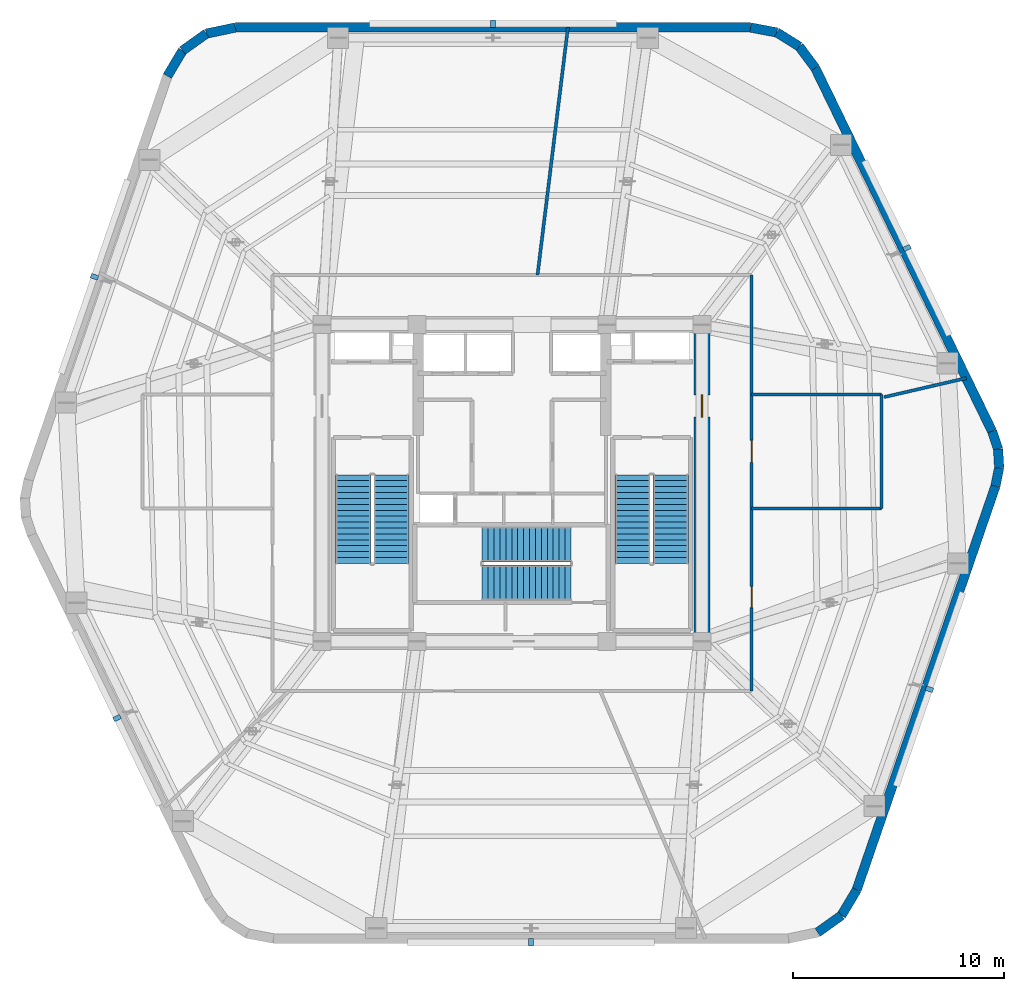
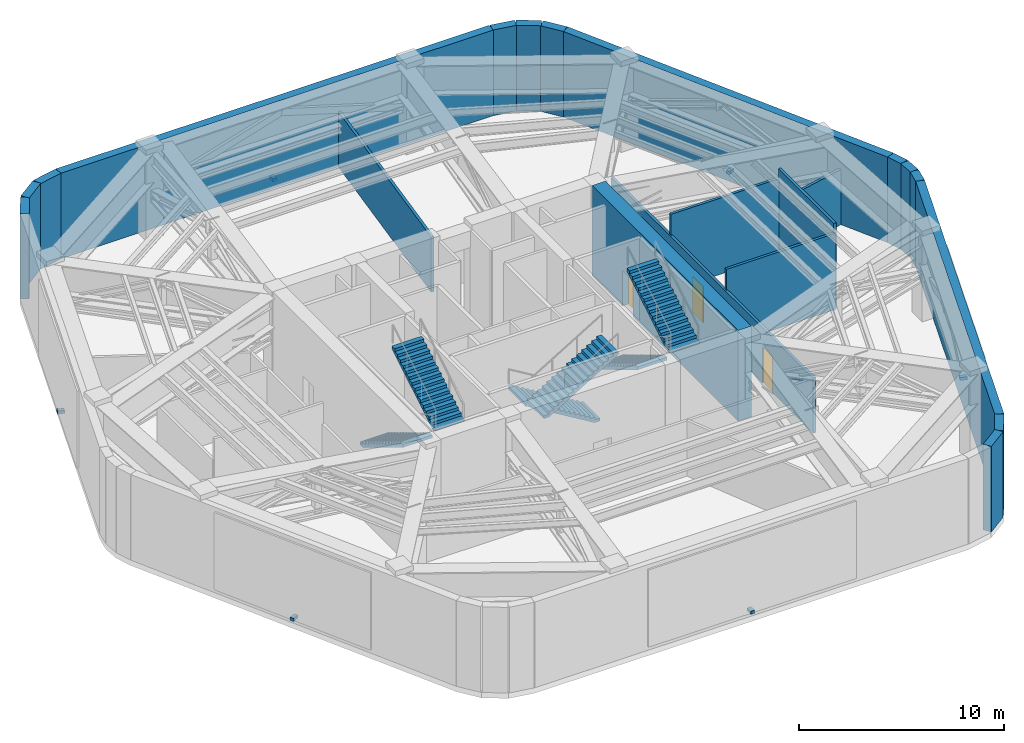
# One storey, part 7 of 10: 21 walls, 6 discrete accessories, 6 stair flights, 3 doors, 3 openings, 3 elements without a shape of their own.
"""IFC4 building model written with IfcOpenShell, lengths in metres."""

from ifc_helpers import new_model, si_unit, direction, frame, frame_2d, origin, origin_2d, place, context, subcontext, project, spatial, polyline, rectangle, outline, extrude, material, layer, layer_set, type_object, element, fill, aggregate, save


model = new_model("IFC4")

# Units and contexts
model_context = context("Model", 3, precision=1e-05, world=origin(), true_north=direction((0.0, 1.0)))
body_context = subcontext(model_context, "Body", "Model", "MODEL_VIEW")
ifc_project = project(units=[si_unit("LENGTHUNIT", "METRE"), si_unit("AREAUNIT", "SQUARE_METRE"), si_unit("VOLUMEUNIT", "CUBIC_METRE"), si_unit("PLANEANGLEUNIT", "RADIAN"), si_unit("MASSUNIT", "GRAM", prefix="KILO")], contexts=[model_context])

# Site, building, storey
site_placement = place(None, origin())
site = spatial("IfcSite", under=ifc_project, at=site_placement, CompositionType="ELEMENT")
building_placement = place(site_placement, origin())
building = spatial("IfcBuilding", under=site, at=building_placement, Name="Kilnhurst Terrace Hotel", CompositionType="ELEMENT")
storey_placement = place(building_placement, frame((0.0, 0.0, 255.89990234375)))
storey = spatial("IfcBuildingStorey", under=building, at=storey_placement, Name="L64", CompositionType="ELEMENT", Elevation=255.89990234375)

# Walls
ifc_material_1 = material(Name="Precast concrete C40/50", Category="concrete")
ifc_layer_1 = layer(ifc_material_1, 0.449951171875, Name="Precast concrete C40/50")
ifc_layer_set_1 = layer_set([ifc_layer_1], Name="Precast concrete C40/50")
wall_type_1 = type_object("IfcWallType", Name="WL-BRK-450", PredefinedType="SOLIDWALL", material=ifc_layer_set_1)
wall_1_placement = place(storey_placement, frame((14.47802734375, -21.28662109375, 0.0), z_axis=(0.0, 0.0, 1.0), x_axis=(0.813888518617, 0.58102106611, 0.0)))
element("IfcWall", 1, at=wall_1_placement, inside=storey, type_object=wall_type_1, Name="L64 Rounded Corner Brick Wall C2.2", PredefinedType="SOLIDWALL", context=body_context, shape_type="SweptSolid", body=[
    extrude(rectangle(XDim=1.3828125, YDim=0.449951171875, at=frame_2d((0.69140625, 0.0))), origin(), (0.0, 0.0, 1.0), 5.10009765625),
])
wall_2_placement = place(storey_placement, frame((15.603515625, -20.483154296875, 0.0), z_axis=(0.0, 0.0, 1.0), x_axis=(0.512222149036, 0.858852996756, 0.0)))
element("IfcWall", 2, at=wall_2_placement, inside=storey, type_object=wall_type_1, Name="L64 Rounded Corner Brick Wall C2.3", PredefinedType="SOLIDWALL", context=body_context, shape_type="SweptSolid", body=[
    extrude(rectangle(XDim=1.406494140625, YDim=0.449951171875, at=frame_2d((0.703125, 0.0))), origin(), (0.0, 0.0, 1.0), 5.10009765625),
])
wall_3_placement = place(storey_placement, frame((22.8984375, -0.149658203125, 0.0), z_axis=(0.0, 0.0, 1.0), x_axis=(0.199055826889, 0.979988151858, 0.0)))
element("IfcWall", 3, at=wall_3_placement, inside=storey, type_object=wall_type_1, Name="L64 Rounded Corner Brick Wall C3.1", PredefinedType="SOLIDWALL", context=body_context, shape_type="SweptSolid", body=[
    extrude(rectangle(XDim=0.89404296875, YDim=0.449951171875, at=frame_2d((0.447021484375, 0.0))), origin(), (0.0, 0.0, 1.0), 5.10009765625),
])
wall_4_placement = place(storey_placement, frame((23.076416015625, 0.7265625, 0.0), z_axis=(0.0, 0.0, 1.0), x_axis=(-0.060805222108, 0.998149650586, 0.0)))
element("IfcWall", 4, at=wall_4_placement, inside=storey, type_object=wall_type_1, Name="L64 Rounded Corner Brick Wall C3.2", PredefinedType="SOLIDWALL", context=body_context, shape_type="SweptSolid", body=[
    extrude(rectangle(XDim=0.87939453125, YDim=0.449951171875, at=frame_2d((0.439697265625, 0.0))), origin(), (0.0, 0.0, 1.0), 5.10009765625),
])
wall_5_placement = place(storey_placement, frame((23.02294921875, 1.604248046875, 0.0), z_axis=(0.0, 0.0, 1.0), x_axis=(-0.316801227695, 0.948491951537, 0.0)))
element("IfcWall", 5, at=wall_5_placement, inside=storey, type_object=wall_type_1, Name="L64 Rounded Corner Brick Wall C3.3", PredefinedType="SOLIDWALL", context=body_context, shape_type="SweptSolid", body=[
    extrude(rectangle(XDim=0.89404296875, YDim=0.449951171875, at=frame_2d((0.447021484375, 0.0))), origin(), (0.0, 0.0, 1.0), 5.10009765625),
])
wall_6_placement = place(storey_placement, frame((14.3623046875, 19.658447265625, 0.0), z_axis=(0.0, 0.0, 1.0), x_axis=(-0.596642462792, 0.80250717853, 0.0)))
element("IfcWall", 6, at=wall_6_placement, inside=storey, type_object=wall_type_1, Name="L64 Rounded Corner Brick Wall C4.1", PredefinedType="SOLIDWALL", context=body_context, shape_type="SweptSolid", body=[
    extrude(rectangle(XDim=1.27001953125, YDim=0.449951171875, at=frame_2d((0.635009765625, 0.0))), origin(), (0.0, 0.0, 1.0), 5.10009765625),
])
wall_7_placement = place(storey_placement, frame((13.6044921875, 20.677734375, 0.0), z_axis=(0.0, 0.0, 1.0), x_axis=(-0.847910404124, 0.53013955387, 0.0)))
element("IfcWall", 7, at=wall_7_placement, inside=storey, type_object=wall_type_1, Name="L64 Rounded Corner Brick Wall C4.2", PredefinedType="SOLIDWALL", context=body_context, shape_type="SweptSolid", body=[
    extrude(rectangle(XDim=1.24853515625, YDim=0.449951171875, at=frame_2d((0.624267578125, 0.0))), origin(), (0.0, 0.0, 1.0), 5.10009765625),
])
wall_8_placement = place(storey_placement, frame((12.5458984375, 21.339599609375, 0.0), z_axis=(0.0, 0.0, 1.0), x_axis=(-0.982686750835, 0.18527479519, 0.0)))
element("IfcWall", 8, at=wall_8_placement, inside=storey, type_object=wall_type_1, Name="L64 Rounded Corner Brick Wall C4.3", PredefinedType="SOLIDWALL", context=body_context, shape_type="SweptSolid", body=[
    extrude(rectangle(XDim=1.270263671875, YDim=0.449951171875, at=frame_2d((0.63525390625, 0.0))), origin(), (0.0, 0.0, 1.0), 5.10009765625),
])
wall_9_placement = place(storey_placement, frame((-13.1015625, 21.574951171875, 0.0), z_axis=(0.0, 0.0, 1.0), x_axis=(-0.978757421505, -0.205021730188, 0.0)))
element("IfcWall", 9, at=wall_9_placement, inside=storey, type_object=wall_type_1, Name="L64 Rounded Corner Brick Wall C5.1", PredefinedType="SOLIDWALL", context=body_context, shape_type="SweptSolid", body=[
    extrude(rectangle(XDim=1.40625, YDim=0.449951171875, at=frame_2d((0.703125, 0.0))), origin(), (0.0, 0.0, 1.0), 5.10009765625),
])
wall_10_placement = place(storey_placement, frame((-14.47802734375, 21.28662109375, 0.0), z_axis=(0.0, 0.0, 1.0), x_axis=(-0.813888518617, -0.58102106611, 0.0)))
element("IfcWall", 10, at=wall_10_placement, inside=storey, type_object=wall_type_1, Name="L64 Rounded Corner Brick Wall C5.2", PredefinedType="SOLIDWALL", context=body_context, shape_type="SweptSolid", body=[
    extrude(rectangle(XDim=1.3828125, YDim=0.449951171875, at=frame_2d((0.69140625, 0.0))), origin(), (0.0, 0.0, 1.0), 5.10009765625),
])
wall_11_placement = place(storey_placement, frame((-15.603515625, 20.483154296875, 0.0), z_axis=(0.0, 0.0, 1.0), x_axis=(-0.512222149036, -0.858852996756, 0.0)))
element("IfcWall", 11, at=wall_11_placement, inside=storey, type_object=wall_type_1, Name="L64 Rounded Corner Brick Wall C5.3", PredefinedType="SOLIDWALL", context=body_context, shape_type="SweptSolid", body=[
    extrude(rectangle(XDim=1.406494140625, YDim=0.449951171875, at=frame_2d((0.703125, 0.0))), origin(), (0.0, 0.0, 1.0), 5.10009765625),
])
wall_12_placement = place(storey_placement, frame((16.323974609375, -19.275146484375, 0.0), z_axis=(0.0, 0.0, 1.0), x_axis=(0.325083142304, 0.945685439557, 0.0)))
element("IfcWall", 12, at=wall_12_placement, inside=storey, type_object=wall_type_1, Name="L64 Exterior Brick Facade Wall F2", PredefinedType="SOLIDWALL", context=body_context, shape_type="SweptSolid", body=[
    extrude(rectangle(XDim=20.223876953125, YDim=0.449951171875, at=frame_2d((10.11181640625, 0.0))), origin(), (0.0, 0.0, 1.0), 5.10009765625),
])
wall_13_placement = place(storey_placement, frame((22.73974609375, 2.4521484375, 0.0), z_axis=(0.0, 0.0, 1.0), x_axis=(-0.437753424814, 0.899095066755, 0.0)))
element("IfcWall", 13, at=wall_13_placement, inside=storey, type_object=wall_type_1, Name="L64 Exterior Brick Facade Wall F3", PredefinedType="SOLIDWALL", context=body_context, shape_type="SweptSolid", body=[
    extrude(rectangle(XDim=19.137451171875, YDim=0.449951171875, at=frame_2d((9.56884765625, 0.0))), origin(), (0.0, 0.0, 1.0), 5.10009765625),
])
wall_14_placement = place(storey_placement, frame((11.297607421875, 21.574951171875, 0.0), z_axis=(0.0, 0.0, 1.0), x_axis=(-1.0, 0.0, 0.0)))
element("IfcWall", 14, at=wall_14_placement, inside=storey, type_object=wall_type_1, Name="L64 Exterior Brick Facade Wall F4", PredefinedType="SOLIDWALL", context=body_context, shape_type="SweptSolid", body=[
    extrude(rectangle(XDim=24.399169921875, YDim=0.449951171875, at=frame_2d((12.19970703125, 0.0))), origin(), (0.0, 0.0, 1.0), 5.10009765625),
])

# Wall, openings, doors
ifc_material_2 = material(Name="Acoustic Double-Gypsum Corridor Partition Assembly")
ifc_layer_2 = layer(ifc_material_2, 0.14990234375, Name="Acoustic Double-Gypsum Corridor Partition Assembly")
ifc_layer_set_2 = layer_set([ifc_layer_2], Name="Acoustic Double-Gypsum Corridor Partition Assembly")
wall_type_2 = type_object("IfcWallType", Name="WL-COR-150", PredefinedType="PARTITIONING", material=ifc_layer_set_2)
wall_15_placement = place(storey_placement, frame((11.35009765625, 9.85009765625, 0.0), z_axis=(0.0, 0.0, 1.0), x_axis=(0.0, -1.0, 0.0)))
wall_15 = element("IfcWall", 15, at=wall_15_placement, inside=storey, type_object=wall_type_2, Name="L64 Interior Wall WL-L64-COR-03", PredefinedType="PARTITIONING", context=body_context, shape_type="SweptSolid", body=[
    extrude(rectangle(XDim=19.7001953125, YDim=0.14990234375, at=frame_2d((9.85009765625, 0.0))), origin(), (0.0, 0.0, 1.0), 3.2900390625),
])
opening_1_placement = place(wall_15_placement, frame((7.824951171875, 0.0, 0.0)))
opening_1 = element("IfcOpeningElement", 16, at=opening_1_placement, cuts=wall_15, Name="Opening D-90A", PredefinedType="OPENING", context=body_context, shape_type="SweptSolid", body=[
    extrude(rectangle(XDim=1.050048828125, YDim=2.14990234375, at=frame_2d((0.52490234375, 1.074951171875))), frame((0.0, 0.0849609375, 0.0), z_axis=(0.0, -1.0, 0.0), x_axis=(1.0, 0.0, 0.0)), (0.0, 0.0, 1.0), 0.169921875),
])
opening_2_placement = place(wall_15_placement, frame((14.7548828125, 0.0, 0.0)))
opening_2 = element("IfcOpeningElement", 17, at=opening_2_placement, cuts=wall_15, Name="Opening D-90B", PredefinedType="OPENING", context=body_context, shape_type="SweptSolid", body=[
    extrude(rectangle(XDim=1.0, YDim=2.14990234375, at=frame_2d((0.5, 1.074951171875))), frame((0.0, 0.0849609375, 0.0), z_axis=(0.0, -1.0, 0.0), x_axis=(1.0, 0.0, 0.0)), (0.0, 0.0, 1.0), 0.169921875),
])
ifc_material_3 = material(Name="Painted Hollow Metal Steel ASTM A36 Fire Door", Category="steel")
door_type_1 = type_object("IfcDoorType", Name="DR-FD90-1000", OperationType="NOTDEFINED", PredefinedType="DOOR", material=ifc_material_3)
door_1_placement = place(opening_2_placement, origin())
door_1 = element("IfcDoor", 18, at=door_1_placement, inside=storey, type_object=door_type_1, Name="L64 Building Automation and Telecom Plant Room Door", OperationType="SINGLE_SWING_LEFT", OverallHeight=2.14990234375, OverallWidth=1.0, PredefinedType="DOOR", context=body_context, shape_type="SweptSolid", body=[
    extrude(rectangle(XDim=1.0, YDim=2.14990234375, at=frame_2d((0.5, 1.074951171875))), frame((0.0, 0.02490234375, 0.0), z_axis=(0.0, -1.0, 0.0), x_axis=(1.0, 0.0, 0.0)), (0.0, 0.0, 1.0), 0.050048828125),
])
fill(opening_2, door_1)
door_type_2 = type_object("IfcDoorType", Name="DR-FD90-1050", OperationType="NOTDEFINED", PredefinedType="DOOR", material=ifc_material_3)
door_2_placement = place(opening_1_placement, origin())
door_2 = element("IfcDoor", 19, at=door_2_placement, inside=storey, type_object=door_type_2, Name="L64 East Area of Refuge Door", OperationType="SINGLE_SWING_RIGHT", OverallHeight=2.14990234375, OverallWidth=1.050048828125, PredefinedType="DOOR", context=body_context, shape_type="SweptSolid", body=[
    extrude(rectangle(XDim=1.050048828125, YDim=2.14990234375, at=frame_2d((0.52490234375, 1.074951171875))), frame((0.0, 0.02490234375, 0.0), z_axis=(0.0, -1.0, 0.0), x_axis=(1.0, 0.0, 0.0)), (0.0, 0.0, 1.0), 0.050048828125),
])
fill(opening_1, door_2)

# Walls
for number, where, z_axis, x_axis, name in (
    (20, (11.35009765625, -1.199951171875, 0.0), (0.0, 0.0, 1.0), (1.0, 0.0, 0.0), "L64 Interior Wall WL-L64-REF-E-S"),
    (21, (11.35009765625, 4.199951171875, 0.0), (0.0, 0.0, 1.0), (1.0, 0.0, 0.0), "L64 Interior Wall WL-L64-REF-E-N"),
):
    element("IfcWall", number, at=place(storey_placement, frame(where, z_axis=z_axis, x_axis=x_axis)), inside=storey, type_object=wall_type_2, Name=name, PredefinedType="PARTITIONING", context=body_context, shape_type="SweptSolid", body=[
        extrude(rectangle(XDim=6.14990234375, YDim=0.14990234375, at=frame_2d((3.074951171875, 0.0))), origin(), (0.0, 0.0, 1.0), 4.54052734375),
    ])
wall_16_placement = place(storey_placement, frame((17.5, -1.199951171875, 0.0), z_axis=(0.0, 0.0, 1.0), x_axis=(0.0, 1.0, 0.0)))
element("IfcWall", 22, at=wall_16_placement, inside=storey, type_object=wall_type_2, Name="L64 Interior Wall WL-L64-REF-E-OUT", PredefinedType="PARTITIONING", context=body_context, shape_type="SweptSolid", body=[
    extrude(rectangle(XDim=5.39990234375, YDim=0.14990234375, at=frame_2d((2.699951171875, 0.0))), origin(), (0.0, 0.0, 1.0), 5.10009765625),
])
wall_17_placement = place(storey_placement, frame((17.62255859375, 4.068603515625, 0.0), z_axis=(0.0, 0.0, 1.0), x_axis=(0.974369561662, 0.224953233598, 0.0)))
element("IfcWall", 23, at=wall_17_placement, inside=storey, type_object=wall_type_2, Name="L64 Interior Wall WL-L64-PDIV-1-1", PredefinedType="PARTITIONING", context=body_context, shape_type="SweptSolid", body=[
    extrude(rectangle(XDim=3.994873046875, YDim=0.14990234375, at=frame_2d((1.99755859375, 0.0))), origin(), (0.0, 0.0, 1.0), 3.2900390625),
])
wall_18_placement = place(storey_placement, frame((1.20947265625, 9.85009765625, 0.0), z_axis=(0.0, 0.0, 1.0), x_axis=(0.121874870468, 0.992545472988, 0.0)))
element("IfcWall", 24, at=wall_18_placement, inside=storey, type_object=wall_type_2, Name="L64 Interior Wall WL-L64-PDIV-2-1", PredefinedType="PARTITIONING", context=body_context, shape_type="SweptSolid", body=[
    extrude(rectangle(XDim=11.81298828125, YDim=0.14990234375, at=frame_2d((5.906494140625, 0.0))), origin(), (0.0, 0.0, 1.0), 3.2900390625),
])

# Wall, opening, door
ifc_material_4 = material(Name="Concrete C60/75", Category="concrete")
ifc_layer_3 = layer(ifc_material_4, 0.75, Name="Concrete C60/75")
ifc_layer_set_3 = layer_set([ifc_layer_3], Name="Concrete C60/75")
wall_type_3 = type_object("IfcWallType", Name="WL-CORE-750", PredefinedType="SHEAR", material=ifc_layer_set_3)
wall_19_placement = place(storey_placement, frame((9.0, -7.125, 0.0), z_axis=(0.0, 0.0, 1.0), x_axis=(0.0, 1.0, 0.0)))
wall_19 = element("IfcWall", 25, at=wall_19_placement, inside=storey, type_object=wall_type_3, Name="L64 Core East Shear Wall", PredefinedType="SHEAR", context=body_context, shape_type="SweptSolid", body=[
    extrude(rectangle(XDim=14.25, YDim=0.75, at=frame_2d((7.125, 0.0))), origin(), (0.0, 0.0, 1.0), 5.400146484375),
])
opening_3_placement = place(wall_19_placement, frame((10.25, 0.0, 0.0)))
opening_3 = element("IfcOpeningElement", 26, at=opening_3_placement, cuts=wall_19, Name="Opening D-90A", PredefinedType="OPENING", context=body_context, shape_type="SweptSolid", body=[
    extrude(rectangle(XDim=1.050048828125, YDim=2.14990234375, at=frame_2d((0.52490234375, 1.074951171875))), frame((0.0, 0.385009765625, 0.0), z_axis=(0.0, -1.0, 0.0), x_axis=(1.0, 0.0, 0.0)), (0.0, 0.0, 1.0), 0.77001953125),
])
door_3_placement = place(opening_3_placement, origin())
door_3 = element("IfcDoor", 27, at=door_3_placement, inside=storey, type_object=door_type_2, Name="L64 East Firefighting Lobby Door", OperationType="SINGLE_SWING_LEFT", OverallHeight=2.14990234375, OverallWidth=1.050048828125, PredefinedType="DOOR", context=body_context, shape_type="SweptSolid", body=[
    extrude(rectangle(XDim=1.050048828125, YDim=2.14990234375, at=frame_2d((0.52490234375, 1.074951171875))), frame((0.0, 0.02490234375, 0.0), z_axis=(0.0, -1.0, 0.0), x_axis=(1.0, 0.0, 0.0)), (0.0, 0.0, 1.0), 0.050048828125),
])
fill(opening_3, door_3)

# Stair, stair flights
ifc_material_5 = material(Name="Concrete C50/60", Category="concrete")
stair_type = type_object("IfcStairType", Name="STR-CORE-1660", PredefinedType="HALF_TURN_STAIR", material=ifc_material_5)
stair_1_placement = place(storey_placement, origin())
stair_1 = element("IfcStair", 28, at=stair_1_placement, inside=storey, type_object=stair_type, Name="L64 ST-1", PredefinedType="HALF_TURN_STAIR")
stair_flight_type = type_object("IfcStairFlightType", Name="FLT-RC-1660", PredefinedType="STRAIGHT", material=ifc_material_5)
stair_flight_1_placement = place(storey_placement, frame((-7.52001953125, 0.389892578125, 0.0), z_axis=(0.0, 0.0, 1.0), x_axis=(0.0, -1.0, 0.0)))
stair_flight_1 = element("IfcStairFlight", 29, at=stair_flight_1_placement, type_object=stair_flight_type, Name="ST-1 flight 1", NumberOfRisers=16, NumberOfTreads=15, PredefinedType="STRAIGHT", RiserHeight=0.16875, TreadLength=0.28, context=body_context, shape_type="SweptSolid", body=[
    extrude(outline(polyline([(0.0, 0.0), (0.0, 0.168701171875), (0.280029296875, 0.168701171875), (0.280029296875, 0.33740234375), (0.56005859375, 0.33740234375), (0.56005859375, 0.50634765625), (0.840087890625, 0.50634765625), (0.840087890625, 0.675048828125), (1.1201171875, 0.675048828125), (1.1201171875, 0.84375), (1.39990234375, 0.84375), (1.39990234375, 1.012451171875), (1.679931640625, 1.012451171875), (1.679931640625, 1.18115234375), (1.9599609375, 1.18115234375), (1.9599609375, 1.35009765625), (2.239990234375, 1.35009765625), (2.239990234375, 1.518798828125), (2.52001953125, 1.518798828125), (2.52001953125, 1.6875), (2.800048828125, 1.6875), (2.800048828125, 1.856201171875), (3.080078125, 1.856201171875), (3.080078125, 2.02490234375), (3.360107421875, 2.02490234375), (3.360107421875, 2.19384765625), (3.639892578125, 2.19384765625), (3.639892578125, 2.362548828125), (3.919921875, 2.362548828125), (3.919921875, 2.53125), (4.199951171875, 2.53125), (4.199951171875, 2.699951171875), (4.199951171875, 2.356201171875), (0.29052734375, 0.0), (0.0, 0.0)])), frame((0.0, 0.830078125, 0.0), z_axis=(0.0, -1.0, 0.0), x_axis=(1.0, 0.0, 0.0)), (0.0, 0.0, 1.0), 1.659912109375),
])
stair_flight_2_placement = place(storey_placement, frame((-5.7099609375, -3.81005859375, 2.7001953125), z_axis=(0.0, 0.0, 1.0), x_axis=(0.0, 1.0, 0.0)))
stair_flight_2 = element("IfcStairFlight", 30, at=stair_flight_2_placement, type_object=stair_flight_type, Name="ST-1 flight 2", NumberOfRisers=16, NumberOfTreads=15, PredefinedType="STRAIGHT", RiserHeight=0.16875, TreadLength=0.28, context=body_context, shape_type="SweptSolid", body=[
    extrude(outline(polyline([(0.0, 0.0), (0.0, 0.168701171875), (0.280029296875, 0.168701171875), (0.280029296875, 0.33740234375), (0.56005859375, 0.33740234375), (0.56005859375, 0.50634765625), (0.840087890625, 0.50634765625), (0.840087890625, 0.675048828125), (1.1201171875, 0.675048828125), (1.1201171875, 0.84375), (1.39990234375, 0.84375), (1.39990234375, 1.012451171875), (1.679931640625, 1.012451171875), (1.679931640625, 1.18115234375), (1.9599609375, 1.18115234375), (1.9599609375, 1.35009765625), (2.239990234375, 1.35009765625), (2.239990234375, 1.518798828125), (2.52001953125, 1.518798828125), (2.52001953125, 1.6875), (2.800048828125, 1.6875), (2.800048828125, 1.856201171875), (3.080078125, 1.856201171875), (3.080078125, 2.02490234375), (3.360107421875, 2.02490234375), (3.360107421875, 2.19384765625), (3.639892578125, 2.19384765625), (3.639892578125, 2.362548828125), (3.919921875, 2.362548828125), (3.919921875, 2.53125), (4.199951171875, 2.53125), (4.199951171875, 2.699951171875), (4.199951171875, 2.356201171875), (0.29052734375, 0.0), (0.0, 0.0)])), frame((0.0, 0.830078125, 0.0), z_axis=(0.0, -1.0, 0.0), x_axis=(1.0, 0.0, 0.0)), (0.0, 0.0, 1.0), 1.659912109375),
])
aggregate(stair_1, [stair_flight_1, stair_flight_2])

stair_2_placement = place(storey_placement, origin())
stair_2 = element("IfcStair", 31, at=stair_2_placement, inside=storey, type_object=stair_type, Name="L64 ST-2", PredefinedType="HALF_TURN_STAIR")
stair_flight_3_placement = place(storey_placement, frame((5.7099609375, 0.389892578125, 0.0), z_axis=(0.0, 0.0, 1.0), x_axis=(0.0, -1.0, 0.0)))
stair_flight_3 = element("IfcStairFlight", 32, at=stair_flight_3_placement, type_object=stair_flight_type, Name="ST-2 flight 1", NumberOfRisers=16, NumberOfTreads=15, PredefinedType="STRAIGHT", RiserHeight=0.16875, TreadLength=0.28, context=body_context, shape_type="SweptSolid", body=[
    extrude(outline(polyline([(0.0, 0.0), (0.0, 0.168701171875), (0.280029296875, 0.168701171875), (0.280029296875, 0.33740234375), (0.56005859375, 0.33740234375), (0.56005859375, 0.50634765625), (0.840087890625, 0.50634765625), (0.840087890625, 0.675048828125), (1.1201171875, 0.675048828125), (1.1201171875, 0.84375), (1.39990234375, 0.84375), (1.39990234375, 1.012451171875), (1.679931640625, 1.012451171875), (1.679931640625, 1.18115234375), (1.9599609375, 1.18115234375), (1.9599609375, 1.35009765625), (2.239990234375, 1.35009765625), (2.239990234375, 1.518798828125), (2.52001953125, 1.518798828125), (2.52001953125, 1.6875), (2.800048828125, 1.6875), (2.800048828125, 1.856201171875), (3.080078125, 1.856201171875), (3.080078125, 2.02490234375), (3.360107421875, 2.02490234375), (3.360107421875, 2.19384765625), (3.639892578125, 2.19384765625), (3.639892578125, 2.362548828125), (3.919921875, 2.362548828125), (3.919921875, 2.53125), (4.199951171875, 2.53125), (4.199951171875, 2.699951171875), (4.199951171875, 2.356201171875), (0.29052734375, 0.0), (0.0, 0.0)])), frame((0.0, 0.830078125, 0.0), z_axis=(0.0, -1.0, 0.0), x_axis=(1.0, 0.0, 0.0)), (0.0, 0.0, 1.0), 1.659912109375),
])
stair_flight_4_placement = place(storey_placement, frame((7.52001953125, -3.81005859375, 2.7001953125), z_axis=(0.0, 0.0, 1.0), x_axis=(0.0, 1.0, 0.0)))
stair_flight_4 = element("IfcStairFlight", 33, at=stair_flight_4_placement, type_object=stair_flight_type, Name="ST-2 flight 2", NumberOfRisers=16, NumberOfTreads=15, PredefinedType="STRAIGHT", RiserHeight=0.16875, TreadLength=0.28, context=body_context, shape_type="SweptSolid", body=[
    extrude(outline(polyline([(0.0, 0.0), (0.0, 0.168701171875), (0.280029296875, 0.168701171875), (0.280029296875, 0.33740234375), (0.56005859375, 0.33740234375), (0.56005859375, 0.50634765625), (0.840087890625, 0.50634765625), (0.840087890625, 0.675048828125), (1.1201171875, 0.675048828125), (1.1201171875, 0.84375), (1.39990234375, 0.84375), (1.39990234375, 1.012451171875), (1.679931640625, 1.012451171875), (1.679931640625, 1.18115234375), (1.9599609375, 1.18115234375), (1.9599609375, 1.35009765625), (2.239990234375, 1.35009765625), (2.239990234375, 1.518798828125), (2.52001953125, 1.518798828125), (2.52001953125, 1.6875), (2.800048828125, 1.6875), (2.800048828125, 1.856201171875), (3.080078125, 1.856201171875), (3.080078125, 2.02490234375), (3.360107421875, 2.02490234375), (3.360107421875, 2.19384765625), (3.639892578125, 2.19384765625), (3.639892578125, 2.362548828125), (3.919921875, 2.362548828125), (3.919921875, 2.53125), (4.199951171875, 2.53125), (4.199951171875, 2.699951171875), (4.199951171875, 2.356201171875), (0.29052734375, 0.0), (0.0, 0.0)])), frame((0.0, 0.830078125, 0.0), z_axis=(0.0, -1.0, 0.0), x_axis=(1.0, 0.0, 0.0)), (0.0, 0.0, 1.0), 1.659912109375),
])
aggregate(stair_2, [stair_flight_3, stair_flight_4])

stair_3_placement = place(storey_placement, origin())
stair_3 = element("IfcStair", 34, at=stair_3_placement, inside=storey, type_object=stair_type, Name="L64 ST-3", PredefinedType="HALF_TURN_STAIR")
stair_flight_5_placement = place(storey_placement, frame((2.7900390625, -2.909912109375, 0.0), z_axis=(0.0, 0.0, 1.0), x_axis=(-1.0, 0.0, 0.0)))
stair_flight_5 = element("IfcStairFlight", 35, at=stair_flight_5_placement, type_object=stair_flight_type, Name="ST-3 flight 1", NumberOfRisers=16, NumberOfTreads=15, PredefinedType="STRAIGHT", RiserHeight=0.16875, TreadLength=0.28, context=body_context, shape_type="SweptSolid", body=[
    extrude(outline(polyline([(0.0, 0.0), (0.0, 0.168701171875), (0.280029296875, 0.168701171875), (0.280029296875, 0.33740234375), (0.56005859375, 0.33740234375), (0.56005859375, 0.50634765625), (0.840087890625, 0.50634765625), (0.840087890625, 0.675048828125), (1.1201171875, 0.675048828125), (1.1201171875, 0.84375), (1.39990234375, 0.84375), (1.39990234375, 1.012451171875), (1.679931640625, 1.012451171875), (1.679931640625, 1.18115234375), (1.9599609375, 1.18115234375), (1.9599609375, 1.35009765625), (2.239990234375, 1.35009765625), (2.239990234375, 1.518798828125), (2.52001953125, 1.518798828125), (2.52001953125, 1.6875), (2.800048828125, 1.6875), (2.800048828125, 1.856201171875), (3.080078125, 1.856201171875), (3.080078125, 2.02490234375), (3.360107421875, 2.02490234375), (3.360107421875, 2.19384765625), (3.639892578125, 2.19384765625), (3.639892578125, 2.362548828125), (3.919921875, 2.362548828125), (3.919921875, 2.53125), (4.199951171875, 2.53125), (4.199951171875, 2.699951171875), (4.199951171875, 2.356201171875), (0.29052734375, 0.0), (0.0, 0.0)])), frame((0.0, 0.830078125, 0.0), z_axis=(0.0, -1.0, 0.0), x_axis=(1.0, 0.0, 0.0)), (0.0, 0.0, 1.0), 1.659912109375),
])
stair_flight_6_placement = place(storey_placement, frame((-1.409912109375, -4.719970703125, 2.7001953125), z_axis=(0.0, 0.0, 1.0), x_axis=(1.0, 0.0, 0.0)))
stair_flight_6 = element("IfcStairFlight", 36, at=stair_flight_6_placement, type_object=stair_flight_type, Name="ST-3 flight 2", NumberOfRisers=16, NumberOfTreads=15, PredefinedType="STRAIGHT", RiserHeight=0.16875, TreadLength=0.28, context=body_context, shape_type="SweptSolid", body=[
    extrude(outline(polyline([(0.0, 0.0), (0.0, 0.168701171875), (0.280029296875, 0.168701171875), (0.280029296875, 0.33740234375), (0.56005859375, 0.33740234375), (0.56005859375, 0.50634765625), (0.840087890625, 0.50634765625), (0.840087890625, 0.675048828125), (1.1201171875, 0.675048828125), (1.1201171875, 0.84375), (1.39990234375, 0.84375), (1.39990234375, 1.012451171875), (1.679931640625, 1.012451171875), (1.679931640625, 1.18115234375), (1.9599609375, 1.18115234375), (1.9599609375, 1.35009765625), (2.239990234375, 1.35009765625), (2.239990234375, 1.518798828125), (2.52001953125, 1.518798828125), (2.52001953125, 1.6875), (2.800048828125, 1.6875), (2.800048828125, 1.856201171875), (3.080078125, 1.856201171875), (3.080078125, 2.02490234375), (3.360107421875, 2.02490234375), (3.360107421875, 2.19384765625), (3.639892578125, 2.19384765625), (3.639892578125, 2.362548828125), (3.919921875, 2.362548828125), (3.919921875, 2.53125), (4.199951171875, 2.53125), (4.199951171875, 2.699951171875), (4.199951171875, 2.356201171875), (0.29052734375, 0.0), (0.0, 0.0)])), frame((0.0, 0.830078125, 0.0), z_axis=(0.0, -1.0, 0.0), x_axis=(1.0, 0.0, 0.0)), (0.0, 0.0, 1.0), 1.659912109375),
])
aggregate(stair_3, [stair_flight_5, stair_flight_6])

# Discrete accessories
ifc_material_6 = material(Name="Galvanized Steel ASTM A572 Grade 50", Category="steel")
discrete_accessory_type = type_object("IfcDiscreteAccessoryType", Name="ACC-BRK-STL", PredefinedType="BRACKET", material=ifc_material_6)
for number, where, z_axis, x_axis, name in (
    (37, (0.90185546875, -21.75, 0.2099609375), (0.0, 0.0, 1.0), (1.0, 0.0, 0.0), "L64 Storm Louvre Support Bracket SHD-L64-LVR-F1"),
    (38, (19.77685546875, -9.769287109375, 0.2099609375), (0.0, 0.0, 1.0), (0.325089542819, 0.94568323933, 0.0), "L64 Storm Louvre Support Bracket SHD-L64-LVR-F2"),
    (39, (18.708251953125, 11.132080078125, 0.2099609375), (0.0, 0.0, 1.0), (-0.437743563395, 0.899099868038, 0.0), "L64 Storm Louvre Support Bracket SHD-L64-LVR-F3"),
    (40, (-0.90185546875, 21.75, 0.2099609375), (0.0, 0.0, 1.0), (-1.0, 0.0, 0.0), "L64 Storm Louvre Support Bracket SHD-L64-LVR-F4"),
    (41, (-19.77685546875, 9.769287109375, 0.2099609375), (0.0, 0.0, 1.0), (-0.325089542819, -0.94568323933, 0.0), "L64 Storm Louvre Support Bracket SHD-L64-LVR-F5"),
    (42, (-18.708251953125, -11.132080078125, 0.2099609375), (0.0, 0.0, 1.0), (0.437743563395, -0.899099868038, 0.0), "L64 Storm Louvre Support Bracket SHD-L64-LVR-F6"),
):
    element("IfcDiscreteAccessory", number, at=place(storey_placement, frame(where, z_axis=z_axis, x_axis=x_axis)), inside=storey, type_object=discrete_accessory_type, Name=name, PredefinedType="BRACKET", context=body_context, shape_type="SweptSolid", body=[
        extrude(rectangle(XDim=0.219970703125, YDim=0.360107421875, at=origin_2d()), origin(), (0.0, 0.0, 1.0), 0.179931640625),
    ])

save(model, "model.ifc")
